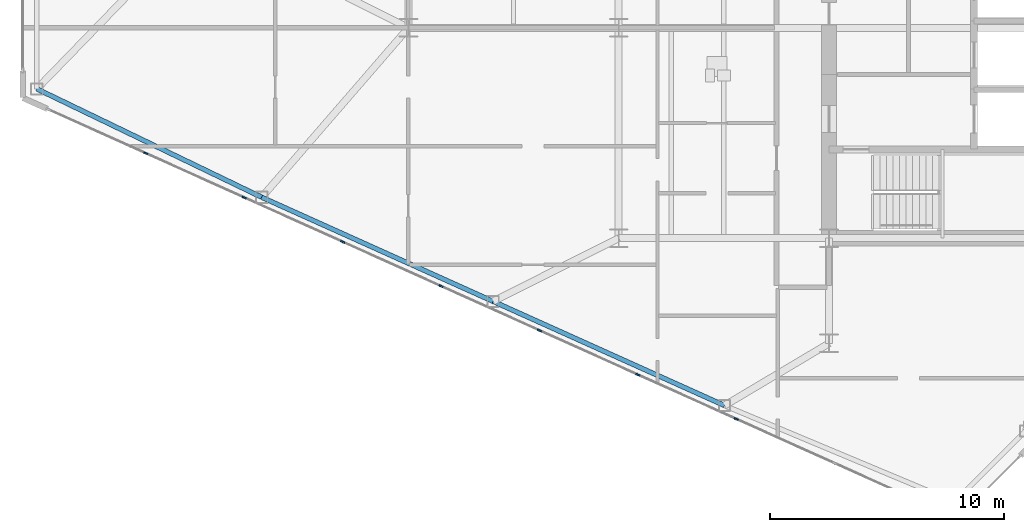
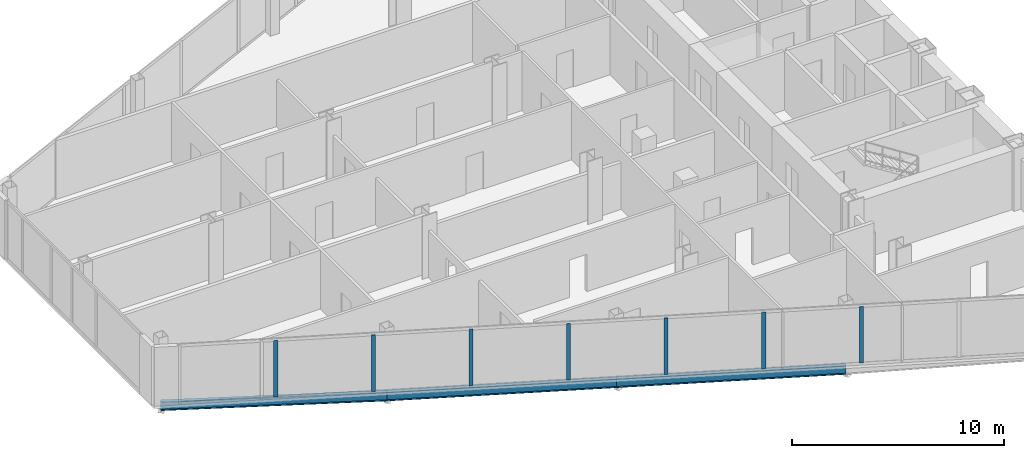
# One storey, part 3 of 27: 7 members, 3 beams, 1 element without a shape of its own.
"""IFC4 building model written with IfcOpenShell, lengths in metres."""

from ifc_helpers import new_model, si_unit, direction, frame, origin, origin_2d, place, context, subcontext, project, spatial, rectangle, i_section, extrude, source, transform, mapped, material, layer, layer_set, material_profile, profile_set, type_object, type_shapes, element, aggregate, save


model = new_model("IFC4")

# Units and contexts
model_context = context("Model", 3, precision=1e-05, world=origin(), true_north=direction((0.0, 1.0)))
body_context = subcontext(model_context, "Body", "Model", "MODEL_VIEW")
ifc_project = project(units=[si_unit("LENGTHUNIT", "METRE"), si_unit("AREAUNIT", "SQUARE_METRE"), si_unit("VOLUMEUNIT", "CUBIC_METRE"), si_unit("PLANEANGLEUNIT", "RADIAN"), si_unit("MASSUNIT", "GRAM", prefix="KILO")], contexts=[model_context])

# Site, building, storey
site_placement = place(None, origin())
site = spatial("IfcSite", under=ifc_project, at=site_placement, CompositionType="ELEMENT")
building_placement = place(site_placement, origin())
building = spatial("IfcBuilding", under=site, at=building_placement, Name="Seokmaru Belvedere", CompositionType="ELEMENT")
storey_placement = place(building_placement, frame((0.0, 0.0, 65.699951171875)))
storey = spatial("IfcBuildingStorey", under=building, at=storey_placement, Name="L17", CompositionType="ELEMENT", Elevation=65.699951171875)

# Beams
ifc_material_1 = material(Name="Steel SM355 (355 MPa)", Category="steel")
ifc_material_profile_1 = material_profile(ifc_material_1, i_section(OverallWidth=0.199951171875, OverallDepth=0.5, WebThickness=0.010009765625, FlangeThickness=0.01611328125, at=origin_2d()), Name="H-500x200x10x16")
ifc_profile_set_1 = profile_set([ifc_material_profile_1], Name="Steel SM355 (355 MPa)")
beam_type = type_object("IfcBeamType", Name="Perimeter Spandrel Beam H-500", PredefinedType="SPANDREL", material=ifc_profile_set_1)
shared_shape_1 = source(origin(), body_context, "Body", "SweptSolid", [
    extrude(i_section(OverallWidth=0.199951171875, OverallDepth=0.5, WebThickness=0.010009765625, FlangeThickness=0.01611328125, at=origin_2d()), origin(), (0.0, 0.0, 1.0), 10.85888671875),
])
for number, where, z_axis, x_axis, name in (
    (1, (-40.97265625, -20.661376953125, -0.469970703125), (-0.911921505175, 0.410364677329, 0.0), (-0.410364677329, -0.911921505175, 0.0), "L17 W Faceted Flank Spandrel S-2"),
    (2, (-50.875, -16.205322265625, -0.469970703125), (-0.911925291223, 0.410356263785, 0.0), (-0.410356263785, -0.911925291223, 0.0), "L17 W Faceted Flank Spandrel S-3"),
):
    element("IfcBeam", number, at=place(storey_placement, frame(where, z_axis=z_axis, x_axis=x_axis)), inside=storey, type_object=beam_type, Name=name, PredefinedType="SPANDREL", context=body_context, shape_type="MappedRepresentation", body=[
        mapped(shared_shape_1, transform((0.0, 0.0, 0.0), scale=1.0)),
    ])
shared_shape_2 = source(origin(), body_context, "Body", "SweptSolid", [
    extrude(i_section(OverallWidth=0.199951171875, OverallDepth=0.5, WebThickness=0.010009765625, FlangeThickness=0.01611328125, at=origin_2d()), origin(), (0.0, 0.0, 1.0), 10.681396484375),
])
type_shapes(beam_type, [shared_shape_1, shared_shape_2])
beam_placement = place(storey_placement, frame((-60.777587890625, -11.749267578125, -0.469970703125), z_axis=(-0.900846426616, 0.434137899352, 0.0), x_axis=(-0.434137899352, -0.900846426616, 0.0)))
element("IfcBeam", 3, at=beam_placement, inside=storey, type_object=beam_type, Name="L17 W Faceted Flank Spandrel S-4", PredefinedType="SPANDREL", context=body_context, shape_type="MappedRepresentation", body=[
    mapped(shared_shape_2, transform((0.0, 0.0, 0.0), scale=1.0)),
])

# Curtain wall, members
ifc_material_2 = material(Name="Bronze Triple Insulating Glass", Category="glass")
ifc_layer = layer(ifc_material_2, 0.195068359375)
ifc_layer_set = layer_set([ifc_layer], Name="Bronze Triple Insulating Glass")
curtain_wall_type = type_object("IfcCurtainWallType", Name="Lower-Mid Tapered Curtain Wall System CW-3", PredefinedType="NOTDEFINED", material=ifc_layer_set)
curtain_wall_placement = place(storey_placement, origin())
curtain_wall = element("IfcCurtainWall", 4, at=curtain_wall_placement, inside=storey, type_object=curtain_wall_type, Name="L17 Curtain Wall WF5", PredefinedType="NOTDEFINED")
ifc_material_3 = material(Name="Anodised Bronze Aluminium", Category="aluminium")
ifc_material_profile_2 = material_profile(ifc_material_3, rectangle(XDim=0.070068359375, YDim=0.195068359375, at=origin_2d()), Name="CW-M-70x195")
ifc_profile_set_2 = profile_set([ifc_material_profile_2], Name="Anodised Bronze Aluminium")
member_type = type_object("IfcMemberType", Name="Bronze Unitised Mullion 70x195", PredefinedType="MULLION", material=ifc_profile_set_2)
shared_shape_3 = source(origin(), body_context, "Body", "SweptSolid", [
    extrude(rectangle(XDim=0.070068359375, YDim=0.195068359375, at=origin_2d()), origin(), (0.0, 0.0, 1.0), 3.239990234375),
])
type_shapes(member_type, [shared_shape_3])
member_1_placement = place(storey_placement, frame((-65.739990234375, -9.866943359375, 0.070068359375), z_axis=(0.0, 0.0, 1.0), x_axis=(0.41036554765, 0.91192111353, 0.0)))
member_1 = element("IfcMember", 5, at=member_1_placement, type_object=member_type, Name="CW:L17:WF5 Mullion 2", PredefinedType="MULLION", context=body_context, shape_type="MappedRepresentation", body=[
    mapped(shared_shape_3, transform((0.0, 0.0, 0.0), scale=1.0)),
])
member_2_placement = place(storey_placement, frame((-61.528564453125, -11.76220703125, 0.070068359375), z_axis=(0.0, 0.0, 1.0), x_axis=(0.41036554765, 0.91192111353, 0.0)))
member_2 = element("IfcMember", 6, at=member_2_placement, type_object=member_type, Name="CW:L17:WF5 Mullion 3", PredefinedType="MULLION", context=body_context, shape_type="MappedRepresentation", body=[
    mapped(shared_shape_3, transform((0.0, 0.0, 0.0), scale=1.0)),
])
member_3_placement = place(storey_placement, frame((-57.317138671875, -13.6572265625, 0.070068359375), z_axis=(0.0, 0.0, 1.0), x_axis=(0.41036554765, 0.91192111353, 0.0)))
member_3 = element("IfcMember", 7, at=member_3_placement, type_object=member_type, Name="CW:L17:WF5 Mullion 4", PredefinedType="MULLION", context=body_context, shape_type="MappedRepresentation", body=[
    mapped(shared_shape_3, transform((0.0, 0.0, 0.0), scale=1.0)),
])
member_4_placement = place(storey_placement, frame((-53.105712890625, -15.552490234375, 0.070068359375), z_axis=(0.0, 0.0, 1.0), x_axis=(0.41036554765, 0.91192111353, 0.0)))
member_4 = element("IfcMember", 8, at=member_4_placement, type_object=member_type, Name="CW:L17:WF5 Mullion 5", PredefinedType="MULLION", context=body_context, shape_type="MappedRepresentation", body=[
    mapped(shared_shape_3, transform((0.0, 0.0, 0.0), scale=1.0)),
])
member_5_placement = place(storey_placement, frame((-48.894287109375, -17.447509765625, 0.070068359375), z_axis=(0.0, 0.0, 1.0), x_axis=(0.41036554765, 0.91192111353, 0.0)))
member_5 = element("IfcMember", 9, at=member_5_placement, type_object=member_type, Name="CW:L17:WF5 Mullion 6", PredefinedType="MULLION", context=body_context, shape_type="MappedRepresentation", body=[
    mapped(shared_shape_3, transform((0.0, 0.0, 0.0), scale=1.0)),
])
member_6_placement = place(storey_placement, frame((-44.682861328125, -19.3427734375, 0.070068359375), z_axis=(0.0, 0.0, 1.0), x_axis=(0.41036554765, 0.91192111353, 0.0)))
member_6 = element("IfcMember", 10, at=member_6_placement, type_object=member_type, Name="CW:L17:WF5 Mullion 7", PredefinedType="MULLION", context=body_context, shape_type="MappedRepresentation", body=[
    mapped(shared_shape_3, transform((0.0, 0.0, 0.0), scale=1.0)),
])
member_7_placement = place(storey_placement, frame((-40.471435546875, -21.23779296875, 0.070068359375), z_axis=(0.0, 0.0, 1.0), x_axis=(0.41036554765, 0.91192111353, 0.0)))
member_7 = element("IfcMember", 11, at=member_7_placement, type_object=member_type, Name="CW:L17:WF5 Mullion 8", PredefinedType="MULLION", context=body_context, shape_type="MappedRepresentation", body=[
    mapped(shared_shape_3, transform((0.0, 0.0, 0.0), scale=1.0)),
])
aggregate(curtain_wall, [member_1, member_2, member_3, member_4, member_5, member_6, member_7])

save(model, "model.ifc")
